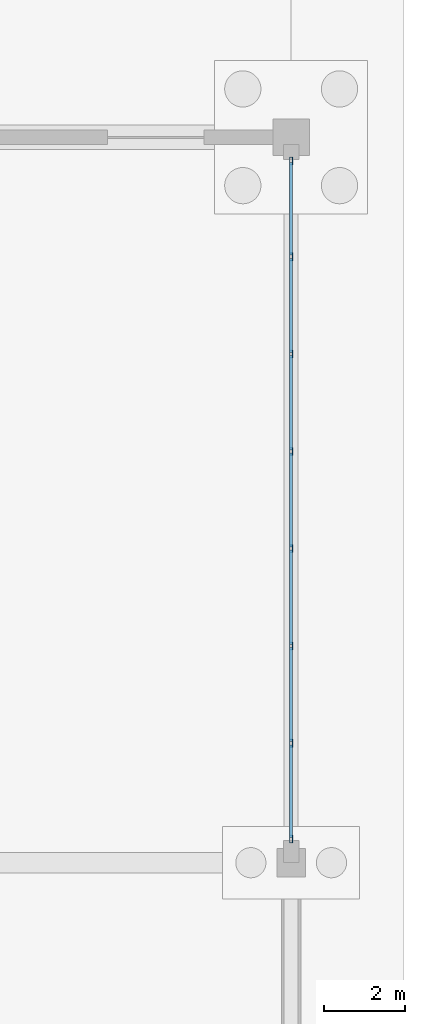
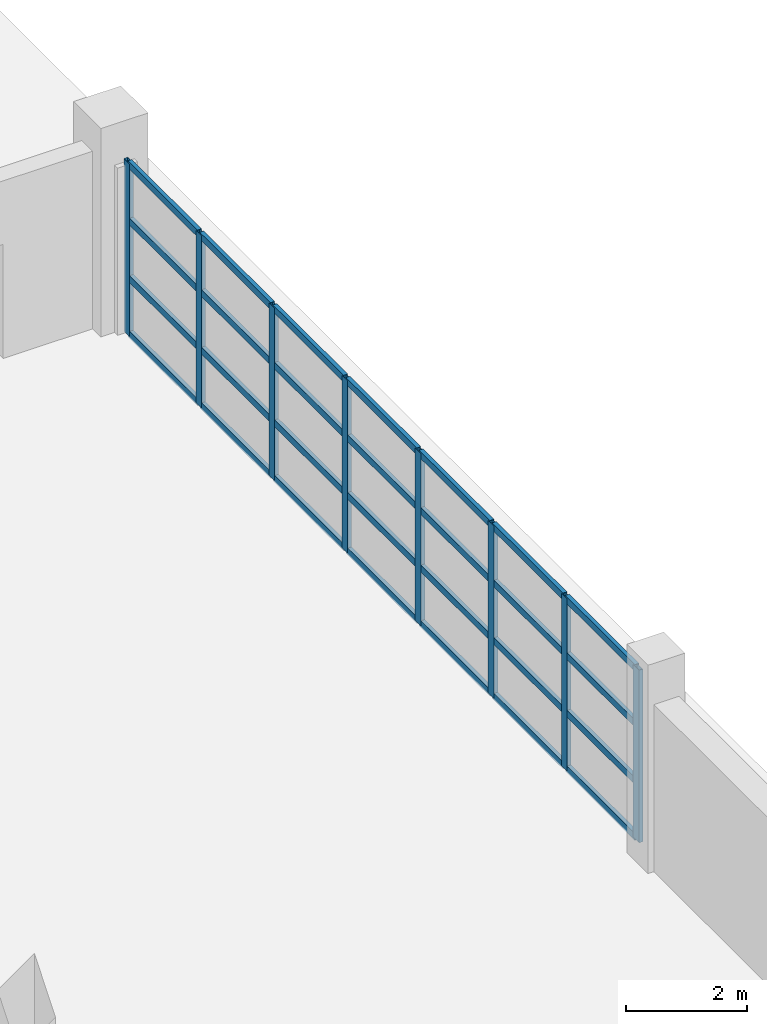
# One storey, part 41 of 77: 36 members, 1 element without a shape of its own.
"""IFC4 building model written with IfcOpenShell, lengths in metres."""

from ifc_helpers import new_model, si_unit, direction, frame, origin, origin_2d, place, context, subcontext, project, spatial, hollow_rectangle, extrude, material, layer, layer_set, material_profile, profile_set, type_object, element, aggregate, save


model = new_model("IFC4")

# Units and contexts
model_context = context("Model", 3, precision=1e-05, world=origin(), true_north=direction((0.0, 1.0)))
body_context = subcontext(model_context, "Body", "Model", "MODEL_VIEW")
ifc_project = project(units=[si_unit("LENGTHUNIT", "METRE"), si_unit("AREAUNIT", "SQUARE_METRE"), si_unit("VOLUMEUNIT", "CUBIC_METRE"), si_unit("PLANEANGLEUNIT", "RADIAN"), si_unit("MASSUNIT", "GRAM", prefix="KILO")], contexts=[model_context])

# Site, building, storey
site_placement = place(None, origin())
site = spatial("IfcSite", under=ifc_project, at=site_placement, CompositionType="ELEMENT")
building_placement = place(site_placement, origin())
building = spatial("IfcBuilding", under=site, at=building_placement, Name="Zilviju Railside Exhibition Hall", CompositionType="ELEMENT")
storey_placement = place(building_placement, origin())
storey = spatial("IfcBuildingStorey", under=building, at=storey_placement, Name="L01", CompositionType="ELEMENT", Elevation=0.0)

# Curtain wall, members
ifc_material_1 = material(Name="Thermally broken aluminium-steel triple-glazed curtain wall", Category="steel")
ifc_layer = layer(ifc_material_1, 0.179931640625)
ifc_layer_set = layer_set([ifc_layer], Name="Thermally broken aluminium-steel triple-glazed curtain wall")
curtain_wall_type = type_object("IfcCurtainWallType", Name="CW-BAY-05", PredefinedType="USERDEFINED", material=ifc_layer_set)
curtain_wall_placement = place(storey_placement, origin())
curtain_wall = element("IfcCurtainWall", 1, at=curtain_wall_placement, inside=storey, type_object=curtain_wall_type, Name="South Hall East Glazed Gable L01 (36..54)", ObjectType="GLAZED CURTAIN WALL", PredefinedType="USERDEFINED")
ifc_material_2 = material(Name="Thermally broken anodized aluminium mullion", Category="aluminium")
ifc_material_profile_1 = material_profile(ifc_material_2, hollow_rectangle(XDim=0.074951171875, YDim=0.18994140625, WallThickness=0.0048828125, at=origin_2d()), Name="MULLION 190x75x5")
ifc_profile_set_1 = profile_set([ifc_material_profile_1], Name="Thermally broken anodized aluminium mullion")
member_type_1 = type_object("IfcMemberType", Name="CWM-75x190", PredefinedType="MULLION", material=ifc_profile_set_1)
member_1_placement = place(storey_placement, frame((216.0, 53.41259765625, 0.0), z_axis=(0.0, 0.0, 1.0), x_axis=(1.0, 0.0, 0.0)))
member_1 = element("IfcMember", 2, at=member_1_placement, type_object=member_type_1, Name="CW-05 mullion 1", PredefinedType="MULLION", context=body_context, shape_type="SweptSolid", body=[
    extrude(hollow_rectangle(XDim=0.074951171875, YDim=0.18994140625, WallThickness=0.0048828125, at=origin_2d()), origin(), (0.0, 0.0, 1.0), 3.47998046875),
])
member_2_placement = place(storey_placement, frame((216.0, 51.03564453125, 0.0), z_axis=(0.0, 0.0, 1.0), x_axis=(1.0, 0.0, 0.0)))
member_2 = element("IfcMember", 3, at=member_2_placement, type_object=member_type_1, Name="CW-05 mullion 2", PredefinedType="MULLION", context=body_context, shape_type="SweptSolid", body=[
    extrude(hollow_rectangle(XDim=0.074951171875, YDim=0.18994140625, WallThickness=0.0048828125, at=origin_2d()), origin(), (0.0, 0.0, 1.0), 3.47998046875),
])
member_3_placement = place(storey_placement, frame((216.0, 48.621337890625, 0.0), z_axis=(0.0, 0.0, 1.0), x_axis=(1.0, 0.0, 0.0)))
member_3 = element("IfcMember", 4, at=member_3_placement, type_object=member_type_1, Name="CW-05 mullion 3", PredefinedType="MULLION", context=body_context, shape_type="SweptSolid", body=[
    extrude(hollow_rectangle(XDim=0.074951171875, YDim=0.18994140625, WallThickness=0.0048828125, at=origin_2d()), origin(), (0.0, 0.0, 1.0), 3.47998046875),
])
member_4_placement = place(storey_placement, frame((216.0, 46.20703125, 0.0), z_axis=(0.0, 0.0, 1.0), x_axis=(1.0, 0.0, 0.0)))
member_4 = element("IfcMember", 5, at=member_4_placement, type_object=member_type_1, Name="CW-05 mullion 4", PredefinedType="MULLION", context=body_context, shape_type="SweptSolid", body=[
    extrude(hollow_rectangle(XDim=0.074951171875, YDim=0.18994140625, WallThickness=0.0048828125, at=origin_2d()), origin(), (0.0, 0.0, 1.0), 3.47998046875),
])
member_5_placement = place(storey_placement, frame((216.0, 43.79296875, 0.0), z_axis=(0.0, 0.0, 1.0), x_axis=(1.0, 0.0, 0.0)))
member_5 = element("IfcMember", 6, at=member_5_placement, type_object=member_type_1, Name="CW-05 mullion 5", PredefinedType="MULLION", context=body_context, shape_type="SweptSolid", body=[
    extrude(hollow_rectangle(XDim=0.074951171875, YDim=0.18994140625, WallThickness=0.0048828125, at=origin_2d()), origin(), (0.0, 0.0, 1.0), 3.47998046875),
])
member_6_placement = place(storey_placement, frame((216.0, 41.378662109375, 0.0), z_axis=(0.0, 0.0, 1.0), x_axis=(1.0, 0.0, 0.0)))
member_6 = element("IfcMember", 7, at=member_6_placement, type_object=member_type_1, Name="CW-05 mullion 6", PredefinedType="MULLION", context=body_context, shape_type="SweptSolid", body=[
    extrude(hollow_rectangle(XDim=0.074951171875, YDim=0.18994140625, WallThickness=0.0048828125, at=origin_2d()), origin(), (0.0, 0.0, 1.0), 3.47998046875),
])
member_7_placement = place(storey_placement, frame((216.0, 38.96435546875, 0.0), z_axis=(0.0, 0.0, 1.0), x_axis=(1.0, 0.0, 0.0)))
member_7 = element("IfcMember", 8, at=member_7_placement, type_object=member_type_1, Name="CW-05 mullion 7", PredefinedType="MULLION", context=body_context, shape_type="SweptSolid", body=[
    extrude(hollow_rectangle(XDim=0.074951171875, YDim=0.18994140625, WallThickness=0.0048828125, at=origin_2d()), origin(), (0.0, 0.0, 1.0), 3.47998046875),
])
member_8_placement = place(storey_placement, frame((216.0, 36.58740234375, 0.0), z_axis=(0.0, 0.0, 1.0), x_axis=(1.0, 0.0, 0.0)))
member_8 = element("IfcMember", 9, at=member_8_placement, type_object=member_type_1, Name="CW-05 mullion 8", PredefinedType="MULLION", context=body_context, shape_type="SweptSolid", body=[
    extrude(hollow_rectangle(XDim=0.074951171875, YDim=0.18994140625, WallThickness=0.0048828125, at=origin_2d()), origin(), (0.0, 0.0, 1.0), 3.47998046875),
])
ifc_material_3 = material(Name="Thermally broken anodized aluminium transom", Category="aluminium")
ifc_material_profile_2 = material_profile(ifc_material_3, hollow_rectangle(XDim=0.074951171875, YDim=0.139892578125, WallThickness=0.0048828125, at=origin_2d()), Name="TRANSOM 140x75x5")
ifc_profile_set_2 = profile_set([ifc_material_profile_2], Name="Thermally broken anodized aluminium transom")
member_type_2 = type_object("IfcMemberType", Name="CWT-75x140", PredefinedType="USERDEFINED", material=ifc_profile_set_2)
member_9_placement = place(storey_placement, frame((216.0, 53.375, 0.03759765625), z_axis=(0.0, -1.0, 0.0), x_axis=(1.0, 0.0, 0.0)))
member_9 = element("IfcMember", 10, at=member_9_placement, type_object=member_type_2, Name="CW-05 transom 1.1", ObjectType="TRANSOM", PredefinedType="USERDEFINED", context=body_context, shape_type="SweptSolid", body=[
    extrude(hollow_rectangle(XDim=0.074951171875, YDim=0.139892578125, WallThickness=0.0048828125, at=origin_2d()), origin(), (0.0, 0.0, 1.0), 2.3017578125),
])
member_10_placement = place(storey_placement, frame((216.0, 53.375, 1.159912109375), z_axis=(0.0, -1.0, 0.0), x_axis=(1.0, 0.0, 0.0)))
member_10 = element("IfcMember", 11, at=member_10_placement, type_object=member_type_2, Name="CW-05 transom 1.2", ObjectType="TRANSOM", PredefinedType="USERDEFINED", context=body_context, shape_type="SweptSolid", body=[
    extrude(hollow_rectangle(XDim=0.074951171875, YDim=0.139892578125, WallThickness=0.0048828125, at=origin_2d()), origin(), (0.0, 0.0, 1.0), 2.3017578125),
])
member_11_placement = place(storey_placement, frame((216.0, 53.375, 2.320068359375), z_axis=(0.0, -1.0, 0.0), x_axis=(1.0, 0.0, 0.0)))
member_11 = element("IfcMember", 12, at=member_11_placement, type_object=member_type_2, Name="CW-05 transom 1.3", ObjectType="TRANSOM", PredefinedType="USERDEFINED", context=body_context, shape_type="SweptSolid", body=[
    extrude(hollow_rectangle(XDim=0.074951171875, YDim=0.139892578125, WallThickness=0.0048828125, at=origin_2d()), origin(), (0.0, 0.0, 1.0), 2.3017578125),
])
member_12_placement = place(storey_placement, frame((216.0, 53.375, 3.4423828125), z_axis=(0.0, -1.0, 0.0), x_axis=(1.0, 0.0, 0.0)))
member_12 = element("IfcMember", 13, at=member_12_placement, type_object=member_type_2, Name="CW-05 transom 1.4", ObjectType="TRANSOM", PredefinedType="USERDEFINED", context=body_context, shape_type="SweptSolid", body=[
    extrude(hollow_rectangle(XDim=0.074951171875, YDim=0.139892578125, WallThickness=0.0048828125, at=origin_2d()), origin(), (0.0, 0.0, 1.0), 2.3017578125),
])
member_13_placement = place(storey_placement, frame((216.0, 50.998291015625, 0.03759765625), z_axis=(0.0, -1.0, 0.0), x_axis=(1.0, 0.0, 0.0)))
member_13 = element("IfcMember", 14, at=member_13_placement, type_object=member_type_2, Name="CW-05 transom 2.1", ObjectType="TRANSOM", PredefinedType="USERDEFINED", context=body_context, shape_type="SweptSolid", body=[
    extrude(hollow_rectangle(XDim=0.074951171875, YDim=0.139892578125, WallThickness=0.0048828125, at=origin_2d()), origin(), (0.0, 0.0, 1.0), 2.33935546875),
])
member_14_placement = place(storey_placement, frame((216.0, 50.998291015625, 1.159912109375), z_axis=(0.0, -1.0, 0.0), x_axis=(1.0, 0.0, 0.0)))
member_14 = element("IfcMember", 15, at=member_14_placement, type_object=member_type_2, Name="CW-05 transom 2.2", ObjectType="TRANSOM", PredefinedType="USERDEFINED", context=body_context, shape_type="SweptSolid", body=[
    extrude(hollow_rectangle(XDim=0.074951171875, YDim=0.139892578125, WallThickness=0.0048828125, at=origin_2d()), origin(), (0.0, 0.0, 1.0), 2.33935546875),
])
member_15_placement = place(storey_placement, frame((216.0, 50.998291015625, 2.320068359375), z_axis=(0.0, -1.0, 0.0), x_axis=(1.0, 0.0, 0.0)))
member_15 = element("IfcMember", 16, at=member_15_placement, type_object=member_type_2, Name="CW-05 transom 2.3", ObjectType="TRANSOM", PredefinedType="USERDEFINED", context=body_context, shape_type="SweptSolid", body=[
    extrude(hollow_rectangle(XDim=0.074951171875, YDim=0.139892578125, WallThickness=0.0048828125, at=origin_2d()), origin(), (0.0, 0.0, 1.0), 2.33935546875),
])
member_16_placement = place(storey_placement, frame((216.0, 50.998291015625, 3.4423828125), z_axis=(0.0, -1.0, 0.0), x_axis=(1.0, 0.0, 0.0)))
member_16 = element("IfcMember", 17, at=member_16_placement, type_object=member_type_2, Name="CW-05 transom 2.4", ObjectType="TRANSOM", PredefinedType="USERDEFINED", context=body_context, shape_type="SweptSolid", body=[
    extrude(hollow_rectangle(XDim=0.074951171875, YDim=0.139892578125, WallThickness=0.0048828125, at=origin_2d()), origin(), (0.0, 0.0, 1.0), 2.33935546875),
])
member_17_placement = place(storey_placement, frame((216.0, 48.583984375, 0.03759765625), z_axis=(0.0, -1.0, 0.0), x_axis=(1.0, 0.0, 0.0)))
member_17 = element("IfcMember", 18, at=member_17_placement, type_object=member_type_2, Name="CW-05 transom 3.1", ObjectType="TRANSOM", PredefinedType="USERDEFINED", context=body_context, shape_type="SweptSolid", body=[
    extrude(hollow_rectangle(XDim=0.074951171875, YDim=0.139892578125, WallThickness=0.0048828125, at=origin_2d()), origin(), (0.0, 0.0, 1.0), 2.33935546875),
])
member_18_placement = place(storey_placement, frame((216.0, 48.583984375, 1.159912109375), z_axis=(0.0, -1.0, 0.0), x_axis=(1.0, 0.0, 0.0)))
member_18 = element("IfcMember", 19, at=member_18_placement, type_object=member_type_2, Name="CW-05 transom 3.2", ObjectType="TRANSOM", PredefinedType="USERDEFINED", context=body_context, shape_type="SweptSolid", body=[
    extrude(hollow_rectangle(XDim=0.074951171875, YDim=0.139892578125, WallThickness=0.0048828125, at=origin_2d()), origin(), (0.0, 0.0, 1.0), 2.33935546875),
])
member_19_placement = place(storey_placement, frame((216.0, 48.583984375, 2.320068359375), z_axis=(0.0, -1.0, 0.0), x_axis=(1.0, 0.0, 0.0)))
member_19 = element("IfcMember", 20, at=member_19_placement, type_object=member_type_2, Name="CW-05 transom 3.3", ObjectType="TRANSOM", PredefinedType="USERDEFINED", context=body_context, shape_type="SweptSolid", body=[
    extrude(hollow_rectangle(XDim=0.074951171875, YDim=0.139892578125, WallThickness=0.0048828125, at=origin_2d()), origin(), (0.0, 0.0, 1.0), 2.33935546875),
])
member_20_placement = place(storey_placement, frame((216.0, 48.583984375, 3.4423828125), z_axis=(0.0, -1.0, 0.0), x_axis=(1.0, 0.0, 0.0)))
member_20 = element("IfcMember", 21, at=member_20_placement, type_object=member_type_2, Name="CW-05 transom 3.4", ObjectType="TRANSOM", PredefinedType="USERDEFINED", context=body_context, shape_type="SweptSolid", body=[
    extrude(hollow_rectangle(XDim=0.074951171875, YDim=0.139892578125, WallThickness=0.0048828125, at=origin_2d()), origin(), (0.0, 0.0, 1.0), 2.33935546875),
])
member_21_placement = place(storey_placement, frame((216.0, 46.169677734375, 0.03759765625), z_axis=(0.0, -1.0, 0.0), x_axis=(1.0, 0.0, 0.0)))
member_21 = element("IfcMember", 22, at=member_21_placement, type_object=member_type_2, Name="CW-05 transom 4.1", ObjectType="TRANSOM", PredefinedType="USERDEFINED", context=body_context, shape_type="SweptSolid", body=[
    extrude(hollow_rectangle(XDim=0.074951171875, YDim=0.139892578125, WallThickness=0.0048828125, at=origin_2d()), origin(), (0.0, 0.0, 1.0), 2.33935546875),
])
member_22_placement = place(storey_placement, frame((216.0, 46.169677734375, 1.159912109375), z_axis=(0.0, -1.0, 0.0), x_axis=(1.0, 0.0, 0.0)))
member_22 = element("IfcMember", 23, at=member_22_placement, type_object=member_type_2, Name="CW-05 transom 4.2", ObjectType="TRANSOM", PredefinedType="USERDEFINED", context=body_context, shape_type="SweptSolid", body=[
    extrude(hollow_rectangle(XDim=0.074951171875, YDim=0.139892578125, WallThickness=0.0048828125, at=origin_2d()), origin(), (0.0, 0.0, 1.0), 2.33935546875),
])
member_23_placement = place(storey_placement, frame((216.0, 46.169677734375, 2.320068359375), z_axis=(0.0, -1.0, 0.0), x_axis=(1.0, 0.0, 0.0)))
member_23 = element("IfcMember", 24, at=member_23_placement, type_object=member_type_2, Name="CW-05 transom 4.3", ObjectType="TRANSOM", PredefinedType="USERDEFINED", context=body_context, shape_type="SweptSolid", body=[
    extrude(hollow_rectangle(XDim=0.074951171875, YDim=0.139892578125, WallThickness=0.0048828125, at=origin_2d()), origin(), (0.0, 0.0, 1.0), 2.33935546875),
])
member_24_placement = place(storey_placement, frame((216.0, 46.169677734375, 3.4423828125), z_axis=(0.0, -1.0, 0.0), x_axis=(1.0, 0.0, 0.0)))
member_24 = element("IfcMember", 25, at=member_24_placement, type_object=member_type_2, Name="CW-05 transom 4.4", ObjectType="TRANSOM", PredefinedType="USERDEFINED", context=body_context, shape_type="SweptSolid", body=[
    extrude(hollow_rectangle(XDim=0.074951171875, YDim=0.139892578125, WallThickness=0.0048828125, at=origin_2d()), origin(), (0.0, 0.0, 1.0), 2.33935546875),
])
member_25_placement = place(storey_placement, frame((216.0, 43.75537109375, 0.03759765625), z_axis=(0.0, -1.0, 0.0), x_axis=(1.0, 0.0, 0.0)))
member_25 = element("IfcMember", 26, at=member_25_placement, type_object=member_type_2, Name="CW-05 transom 5.1", ObjectType="TRANSOM", PredefinedType="USERDEFINED", context=body_context, shape_type="SweptSolid", body=[
    extrude(hollow_rectangle(XDim=0.074951171875, YDim=0.139892578125, WallThickness=0.0048828125, at=origin_2d()), origin(), (0.0, 0.0, 1.0), 2.33935546875),
])
member_26_placement = place(storey_placement, frame((216.0, 43.75537109375, 1.159912109375), z_axis=(0.0, -1.0, 0.0), x_axis=(1.0, 0.0, 0.0)))
member_26 = element("IfcMember", 27, at=member_26_placement, type_object=member_type_2, Name="CW-05 transom 5.2", ObjectType="TRANSOM", PredefinedType="USERDEFINED", context=body_context, shape_type="SweptSolid", body=[
    extrude(hollow_rectangle(XDim=0.074951171875, YDim=0.139892578125, WallThickness=0.0048828125, at=origin_2d()), origin(), (0.0, 0.0, 1.0), 2.33935546875),
])
member_27_placement = place(storey_placement, frame((216.0, 43.75537109375, 2.320068359375), z_axis=(0.0, -1.0, 0.0), x_axis=(1.0, 0.0, 0.0)))
member_27 = element("IfcMember", 28, at=member_27_placement, type_object=member_type_2, Name="CW-05 transom 5.3", ObjectType="TRANSOM", PredefinedType="USERDEFINED", context=body_context, shape_type="SweptSolid", body=[
    extrude(hollow_rectangle(XDim=0.074951171875, YDim=0.139892578125, WallThickness=0.0048828125, at=origin_2d()), origin(), (0.0, 0.0, 1.0), 2.33935546875),
])
member_28_placement = place(storey_placement, frame((216.0, 43.75537109375, 3.4423828125), z_axis=(0.0, -1.0, 0.0), x_axis=(1.0, 0.0, 0.0)))
member_28 = element("IfcMember", 29, at=member_28_placement, type_object=member_type_2, Name="CW-05 transom 5.4", ObjectType="TRANSOM", PredefinedType="USERDEFINED", context=body_context, shape_type="SweptSolid", body=[
    extrude(hollow_rectangle(XDim=0.074951171875, YDim=0.139892578125, WallThickness=0.0048828125, at=origin_2d()), origin(), (0.0, 0.0, 1.0), 2.33935546875),
])
member_29_placement = place(storey_placement, frame((216.0, 41.341064453125, 0.03759765625), z_axis=(0.0, -1.0, 0.0), x_axis=(1.0, 0.0, 0.0)))
member_29 = element("IfcMember", 30, at=member_29_placement, type_object=member_type_2, Name="CW-05 transom 6.1", ObjectType="TRANSOM", PredefinedType="USERDEFINED", context=body_context, shape_type="SweptSolid", body=[
    extrude(hollow_rectangle(XDim=0.074951171875, YDim=0.139892578125, WallThickness=0.0048828125, at=origin_2d()), origin(), (0.0, 0.0, 1.0), 2.33935546875),
])
member_30_placement = place(storey_placement, frame((216.0, 41.341064453125, 1.159912109375), z_axis=(0.0, -1.0, 0.0), x_axis=(1.0, 0.0, 0.0)))
member_30 = element("IfcMember", 31, at=member_30_placement, type_object=member_type_2, Name="CW-05 transom 6.2", ObjectType="TRANSOM", PredefinedType="USERDEFINED", context=body_context, shape_type="SweptSolid", body=[
    extrude(hollow_rectangle(XDim=0.074951171875, YDim=0.139892578125, WallThickness=0.0048828125, at=origin_2d()), origin(), (0.0, 0.0, 1.0), 2.33935546875),
])
member_31_placement = place(storey_placement, frame((216.0, 41.341064453125, 2.320068359375), z_axis=(0.0, -1.0, 0.0), x_axis=(1.0, 0.0, 0.0)))
member_31 = element("IfcMember", 32, at=member_31_placement, type_object=member_type_2, Name="CW-05 transom 6.3", ObjectType="TRANSOM", PredefinedType="USERDEFINED", context=body_context, shape_type="SweptSolid", body=[
    extrude(hollow_rectangle(XDim=0.074951171875, YDim=0.139892578125, WallThickness=0.0048828125, at=origin_2d()), origin(), (0.0, 0.0, 1.0), 2.33935546875),
])
member_32_placement = place(storey_placement, frame((216.0, 41.341064453125, 3.4423828125), z_axis=(0.0, -1.0, 0.0), x_axis=(1.0, 0.0, 0.0)))
member_32 = element("IfcMember", 33, at=member_32_placement, type_object=member_type_2, Name="CW-05 transom 6.4", ObjectType="TRANSOM", PredefinedType="USERDEFINED", context=body_context, shape_type="SweptSolid", body=[
    extrude(hollow_rectangle(XDim=0.074951171875, YDim=0.139892578125, WallThickness=0.0048828125, at=origin_2d()), origin(), (0.0, 0.0, 1.0), 2.33935546875),
])
member_33_placement = place(storey_placement, frame((216.0, 38.9267578125, 0.03759765625), z_axis=(0.0, -1.0, 0.0), x_axis=(1.0, 0.0, 0.0)))
member_33 = element("IfcMember", 34, at=member_33_placement, type_object=member_type_2, Name="CW-05 transom 7.1", ObjectType="TRANSOM", PredefinedType="USERDEFINED", context=body_context, shape_type="SweptSolid", body=[
    extrude(hollow_rectangle(XDim=0.074951171875, YDim=0.139892578125, WallThickness=0.0048828125, at=origin_2d()), origin(), (0.0, 0.0, 1.0), 2.3017578125),
])
member_34_placement = place(storey_placement, frame((216.0, 38.9267578125, 1.159912109375), z_axis=(0.0, -1.0, 0.0), x_axis=(1.0, 0.0, 0.0)))
member_34 = element("IfcMember", 35, at=member_34_placement, type_object=member_type_2, Name="CW-05 transom 7.2", ObjectType="TRANSOM", PredefinedType="USERDEFINED", context=body_context, shape_type="SweptSolid", body=[
    extrude(hollow_rectangle(XDim=0.074951171875, YDim=0.139892578125, WallThickness=0.0048828125, at=origin_2d()), origin(), (0.0, 0.0, 1.0), 2.3017578125),
])
member_35_placement = place(storey_placement, frame((216.0, 38.9267578125, 2.320068359375), z_axis=(0.0, -1.0, 0.0), x_axis=(1.0, 0.0, 0.0)))
member_35 = element("IfcMember", 36, at=member_35_placement, type_object=member_type_2, Name="CW-05 transom 7.3", ObjectType="TRANSOM", PredefinedType="USERDEFINED", context=body_context, shape_type="SweptSolid", body=[
    extrude(hollow_rectangle(XDim=0.074951171875, YDim=0.139892578125, WallThickness=0.0048828125, at=origin_2d()), origin(), (0.0, 0.0, 1.0), 2.3017578125),
])
member_36_placement = place(storey_placement, frame((216.0, 38.9267578125, 3.4423828125), z_axis=(0.0, -1.0, 0.0), x_axis=(1.0, 0.0, 0.0)))
member_36 = element("IfcMember", 37, at=member_36_placement, type_object=member_type_2, Name="CW-05 transom 7.4", ObjectType="TRANSOM", PredefinedType="USERDEFINED", context=body_context, shape_type="SweptSolid", body=[
    extrude(hollow_rectangle(XDim=0.074951171875, YDim=0.139892578125, WallThickness=0.0048828125, at=origin_2d()), origin(), (0.0, 0.0, 1.0), 2.3017578125),
])
aggregate(curtain_wall, [member_1, member_2, member_3, member_4, member_5, member_6, member_7, member_8, member_9, member_10, member_11, member_12, member_13, member_14, member_15, member_16, member_17, member_18, member_19, member_20, member_21, member_22, member_23, member_24, member_25, member_26, member_27, member_28, member_29, member_30, member_31, member_32, member_33, member_34, member_35, member_36])

save(model, "model.ifc")
